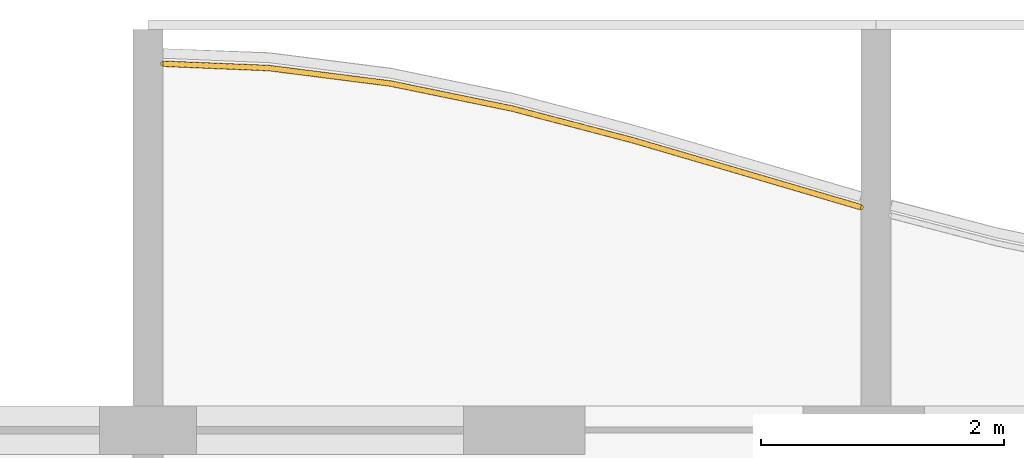
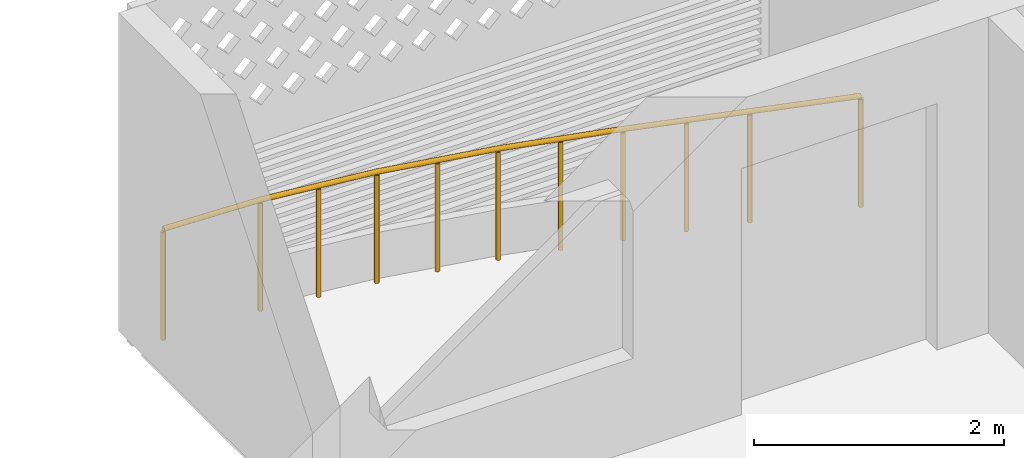
# One storey, part 21 of 26: 1 railing.
"""IFC4 building model written with IfcOpenShell, lengths in metres."""

from ifc_helpers import new_model, si_unit, direction, frame, origin, origin_2d, place, context, subcontext, project, spatial, circle, extrude, material, type_object, element, save


model = new_model("IFC4")

# Units and contexts
model_context = context("Model", 3, precision=1e-05, world=origin(), true_north=direction((0.0, 1.0)))
body_context = subcontext(model_context, "Body", "Model", "MODEL_VIEW")
ifc_project = project(units=[si_unit("LENGTHUNIT", "METRE"), si_unit("AREAUNIT", "SQUARE_METRE"), si_unit("VOLUMEUNIT", "CUBIC_METRE"), si_unit("PLANEANGLEUNIT", "RADIAN"), si_unit("MASSUNIT", "GRAM", prefix="KILO")], contexts=[model_context])

# Site, building, storey
site_placement = place(None, origin())
site = spatial("IfcSite", under=ifc_project, at=site_placement, CompositionType="ELEMENT")
building_placement = place(site_placement, origin())
building = spatial("IfcBuilding", under=site, at=building_placement, Name="Poui Terraces", CompositionType="ELEMENT")
storey_placement = place(building_placement, frame((0.0, 0.0, 241.199951171875)))
storey = spatial("IfcBuildingStorey", under=building, at=storey_placement, Name="L67", CompositionType="ELEMENT", Elevation=241.199951171875)

# Railing
ifc_material = material(Name="Painted steel fretwork", Category="steel")
railing_type = type_object("IfcRailingType", Name="BALCONY GUARD 1100", PredefinedType="GUARDRAIL", material=ifc_material)
railing_placement = place(storey_placement, frame((60.125, 44.219970703125, 0.0)))
element("IfcRailing", 1, at=railing_placement, inside=storey, type_object=railing_type, Name="BALCONY GUARD", PredefinedType="GUARDRAIL", context=body_context, shape_type="SweptSolid", body=[
    extrude(circle(Radius=0.02392578125, at=origin_2d()), frame((0.0, 0.0, 1.076171875), z_axis=(0.999136933979, -0.0415377799, 0.0), x_axis=(0.0415377799, 0.999136933979, 0.0)), (0.0, 0.0, 1.0), 0.875732421875),
    extrude(circle(Radius=0.02392578125, at=origin_2d()), frame((0.875, -0.036376953125, 1.076171875), z_axis=(0.992007284566, -0.126180614077, 0.0), x_axis=(0.126180614077, 0.992007284566, 0.0)), (0.0, 0.0, 1.0), 1.008056640625),
    extrude(circle(Radius=0.02392578125, at=origin_2d()), frame((1.875, -0.16357421875, 1.076171875), z_axis=(0.979470932223, -0.201585448209, 0.0), x_axis=(0.201585448209, 0.979470932223, 0.0)), (0.0, 0.0, 1.0), 1.02099609375),
    extrude(circle(Radius=0.02392578125, at=origin_2d()), frame((2.875, -0.369384765625, 1.076171875), z_axis=(0.967184558731, -0.254074849901, 0.0), x_axis=(0.254074849901, 0.967184558731, 0.0)), (0.0, 0.0, 1.0), 1.033935546875),
    extrude(circle(Radius=0.02392578125, at=origin_2d()), frame((3.875, -0.632080078125, 1.076171875), z_axis=(0.959663427085, -0.281151394654, 0.0), x_axis=(0.281151394654, 0.959663427085, 0.0)), (0.0, 0.0, 1.0), 1.0419921875),
    extrude(circle(Radius=0.02392578125, at=origin_2d()), frame((4.875, -0.925048828125, 1.076171875), z_axis=(0.959374026053, -0.282137339135, 0.0), x_axis=(0.282137339135, 0.959374026053, 0.0)), (0.0, 0.0, 1.0), 0.912109375),
    extrude(circle(Radius=0.02099609375, at=origin_2d()), origin(), (0.0, 0.0, 1.0), 1.052001953125),
    extrude(circle(Radius=0.02099609375, at=origin_2d()), frame((0.875, -0.036376953125, 0.0)), (0.0, 0.0, 1.0), 1.052001953125),
    extrude(circle(Radius=0.02099609375, at=origin_2d()), frame((1.375, -0.10009765625, 0.0)), (0.0, 0.0, 1.0), 1.052001953125),
    extrude(circle(Radius=0.02099609375, at=origin_2d()), frame((1.875, -0.16357421875, 0.0)), (0.0, 0.0, 1.0), 1.052001953125),
    extrude(circle(Radius=0.02099609375, at=origin_2d()), frame((2.375, -0.2666015625, 0.0)), (0.0, 0.0, 1.0), 1.052001953125),
    extrude(circle(Radius=0.02099609375, at=origin_2d()), frame((2.875, -0.369384765625, 0.0)), (0.0, 0.0, 1.0), 1.052001953125),
    extrude(circle(Radius=0.02099609375, at=origin_2d()), frame((3.375, -0.500732421875, 0.0)), (0.0, 0.0, 1.0), 1.052001953125),
    extrude(circle(Radius=0.02099609375, at=origin_2d()), frame((3.875, -0.632080078125, 0.0)), (0.0, 0.0, 1.0), 1.052001953125),
    extrude(circle(Radius=0.02099609375, at=origin_2d()), frame((4.375, -0.778564453125, 0.0)), (0.0, 0.0, 1.0), 1.052001953125),
    extrude(circle(Radius=0.02099609375, at=origin_2d()), frame((4.875, -0.925048828125, 0.0)), (0.0, 0.0, 1.0), 1.052001953125),
    extrude(circle(Radius=0.02099609375, at=origin_2d()), frame((5.75, -1.182373046875, 0.0)), (0.0, 0.0, 1.0), 1.052001953125),
])

save(model, "model.ifc")
